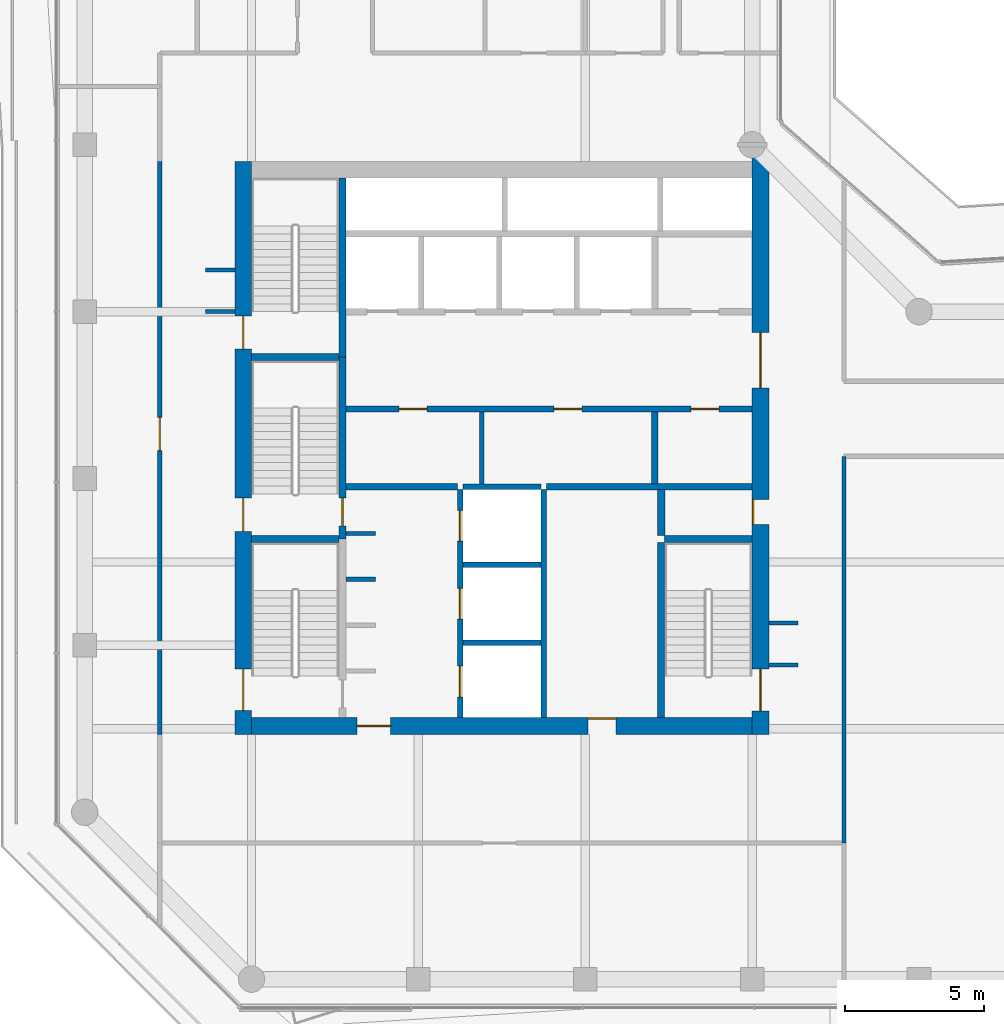
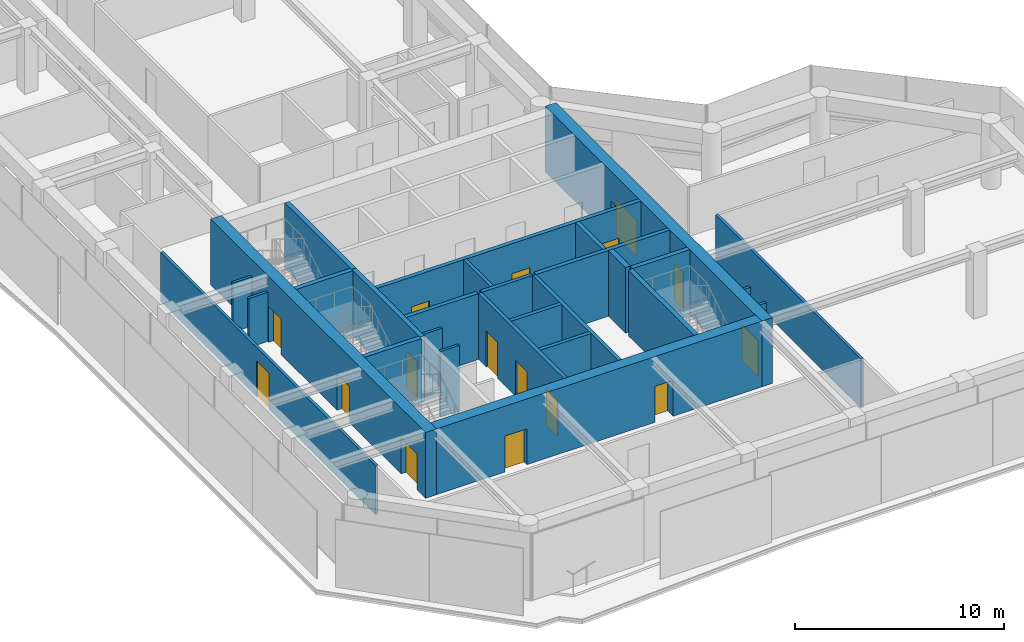
# One storey, part 17 of 21: 28 walls, 16 doors, 16 openings.
"""IFC4 building model written with IfcOpenShell, lengths in metres."""

from ifc_helpers import new_model, si_unit, direction, frame, frame_2d, origin, place, context, subcontext, project, spatial, rectangle, extrude, material, layer, layer_set, type_object, element, fill, save


model = new_model("IFC4")

# Units and contexts
model_context = context("Model", 3, precision=1e-05, world=origin(), true_north=direction((0.0, 1.0)))
body_context = subcontext(model_context, "Body", "Model", "MODEL_VIEW")
ifc_project = project(units=[si_unit("LENGTHUNIT", "METRE"), si_unit("AREAUNIT", "SQUARE_METRE"), si_unit("VOLUMEUNIT", "CUBIC_METRE"), si_unit("PLANEANGLEUNIT", "RADIAN"), si_unit("MASSUNIT", "GRAM", prefix="KILO")], contexts=[model_context])

# Site, building, storey
site_placement = place(None, origin())
site = spatial("IfcSite", under=ifc_project, at=site_placement, CompositionType="ELEMENT")
building_placement = place(site_placement, origin())
building = spatial("IfcBuilding", under=site, at=building_placement, Name="Welwitschia Terrace Campus", CompositionType="ELEMENT")
storey_placement = place(building_placement, frame((0.0, 0.0, 184.39990234375)))
storey = spatial("IfcBuildingStorey", under=building, at=storey_placement, Name="L41", CompositionType="ELEMENT", Elevation=184.39990234375)

# Walls
ifc_material_1 = material(Name="Concrete C32/40", Category="concrete")
ifc_layer_1 = layer(ifc_material_1, 0.175048828125)
ifc_layer_set_1 = layer_set([ifc_layer_1], Name="Concrete C32/40")
wall_type_1 = type_object("IfcWallType", Name="Core partition 175 Concrete C32/40", PredefinedType="PARTITIONING", material=ifc_layer_set_1)
wall_1_placement = place(storey_placement, frame((14.27490234375, 13.800048828125, 0.0), z_axis=(0.0, 0.0, 1.0), x_axis=(0.0, 1.0, 0.0)))
element("IfcWall", 1, at=wall_1_placement, inside=storey, type_object=wall_type_1, Name="Core partition", PredefinedType="PARTITIONING", context=body_context, shape_type="SweptSolid", body=[
    extrude(rectangle(XDim=2.599853515625, YDim=0.175048828125, at=frame_2d((1.2998046875, 0.0))), origin(), (0.0, 0.0, 1.0), 3.85009765625),
])
ifc_material_2 = material(Name="Concrete C32/40", Category="concrete")
ifc_layer_2 = layer(ifc_material_2, 0.22509765625)
ifc_layer_set_2 = layer_set([ifc_layer_2], Name="Concrete C32/40")
wall_type_2 = type_object("IfcWallType", Name="Core partition 225 Concrete C32/40", PredefinedType="PARTITIONING", material=ifc_layer_set_2)
wall_2_placement = place(storey_placement, frame((9.39990234375, 13.699951171875, 0.0), z_axis=(0.0, 0.0, 1.0), x_axis=(1.0, 0.0, 0.0)))
element("IfcWall", 2, at=wall_2_placement, inside=storey, type_object=wall_type_2, Name="Core partition", PredefinedType="PARTITIONING", context=body_context, shape_type="SweptSolid", body=[
    extrude(rectangle(XDim=4.0, YDim=0.22509765625, at=frame_2d((2.0, 0.0))), origin(), (0.0, 0.0, 1.0), 3.85009765625),
])
wall_3_placement = place(storey_placement, frame((16.60009765625, 13.699951171875, 0.0), z_axis=(0.0, 0.0, 1.0), x_axis=(1.0, 0.0, 0.0)))
element("IfcWall", 3, at=wall_3_placement, inside=storey, type_object=wall_type_2, Name="Core partition", PredefinedType="PARTITIONING", context=body_context, shape_type="SweptSolid", body=[
    extrude(rectangle(XDim=7.39990234375, YDim=0.22509765625, at=frame_2d((3.699951171875, 0.0))), origin(), (0.0, 0.0, 1.0), 3.85009765625),
])

# Wall, openings, doors
wall_4_placement = place(storey_placement, frame((9.39990234375, 16.5, 0.0), z_axis=(0.0, 0.0, 1.0), x_axis=(1.0, 0.0, 0.0)))
wall_4 = element("IfcWall", 4, at=wall_4_placement, inside=storey, type_object=wall_type_2, Name="Core partition", PredefinedType="PARTITIONING", context=body_context, shape_type="SweptSolid", body=[
    extrude(rectangle(XDim=14.60009765625, YDim=0.22509765625, at=frame_2d((7.300048828125, 0.0))), origin(), (0.0, 0.0, 1.0), 3.85009765625),
])
opening_1_placement = place(wall_4_placement, frame((1.89990234375, 0.0, 0.0)))
opening_1 = element("IfcOpeningElement", 5, at=opening_1_placement, cuts=wall_4, Name="Opening DR10", PredefinedType="OPENING", context=body_context, shape_type="SweptSolid", body=[
    extrude(rectangle(XDim=1.0, YDim=2.10009765625, at=frame_2d((0.5, 1.050048828125))), frame((0.0, 0.12255859375, 0.0), z_axis=(0.0, -1.0, 0.0), x_axis=(1.0, 0.0, 0.0)), (0.0, 0.0, 1.0), 0.2451171875),
])
opening_2_placement = place(wall_4_placement, frame((7.47509765625, 0.0, 0.0)))
opening_2 = element("IfcOpeningElement", 6, at=opening_2_placement, cuts=wall_4, Name="Opening DR10", PredefinedType="OPENING", context=body_context, shape_type="SweptSolid", body=[
    extrude(rectangle(XDim=1.0, YDim=2.10009765625, at=frame_2d((0.5, 1.050048828125))), frame((0.0, 0.12255859375, 0.0), z_axis=(0.0, -1.0, 0.0), x_axis=(1.0, 0.0, 0.0)), (0.0, 0.0, 1.0), 0.2451171875),
])
opening_3_placement = place(wall_4_placement, frame((12.39990234375, 0.0, 0.0)))
opening_3 = element("IfcOpeningElement", 7, at=opening_3_placement, cuts=wall_4, Name="Opening DR10", PredefinedType="OPENING", context=body_context, shape_type="SweptSolid", body=[
    extrude(rectangle(XDim=1.0, YDim=2.10009765625, at=frame_2d((0.5, 1.050048828125))), frame((0.0, 0.12255859375, 0.0), z_axis=(0.0, -1.0, 0.0), x_axis=(1.0, 0.0, 0.0)), (0.0, 0.0, 1.0), 0.2451171875),
])
ifc_material_3 = material(Name="Steel S275", Category="steel")
door_type_1 = type_object("IfcDoorType", Name="Core door DR10", OperationType="SINGLE_SWING_LEFT", PredefinedType="DOOR", material=ifc_material_3)
door_1_placement = place(opening_1_placement, origin())
door_1 = element("IfcDoor", 8, at=door_1_placement, inside=storey, type_object=door_type_1, Name="Door BAYL1-D", OperationType="SINGLE_SWING_LEFT", OverallHeight=2.10009765625, OverallWidth=1.0, PredefinedType="DOOR", context=body_context, shape_type="SweptSolid", body=[
    extrude(rectangle(XDim=1.0, YDim=2.10009765625, at=frame_2d((0.5, 1.050048828125))), frame((0.0, 0.02490234375, 0.0), z_axis=(0.0, -1.0, 0.0), x_axis=(1.0, 0.0, 0.0)), (0.0, 0.0, 1.0), 0.050048828125),
])
fill(opening_1, door_1)
door_2_placement = place(opening_2_placement, origin())
door_2 = element("IfcDoor", 9, at=door_2_placement, inside=storey, type_object=door_type_1, Name="Door BAYL2-D", OperationType="SINGLE_SWING_RIGHT", OverallHeight=2.10009765625, OverallWidth=1.0, PredefinedType="DOOR", context=body_context, shape_type="SweptSolid", body=[
    extrude(rectangle(XDim=1.0, YDim=2.10009765625, at=frame_2d((0.5, 1.050048828125))), frame((0.0, 0.02490234375, 0.0), z_axis=(0.0, -1.0, 0.0), x_axis=(1.0, 0.0, 0.0)), (0.0, 0.0, 1.0), 0.050048828125),
])
fill(opening_2, door_2)
door_3_placement = place(opening_3_placement, origin())
door_3 = element("IfcDoor", 10, at=door_3_placement, inside=storey, type_object=door_type_1, Name="Door EL-D", OperationType="SINGLE_SWING_RIGHT", OverallHeight=2.10009765625, OverallWidth=1.0, PredefinedType="DOOR", context=body_context, shape_type="SweptSolid", body=[
    extrude(rectangle(XDim=1.0, YDim=2.10009765625, at=frame_2d((0.5, 1.050048828125))), frame((0.0, 0.02490234375, 0.0), z_axis=(0.0, -1.0, 0.0), x_axis=(1.0, 0.0, 0.0)), (0.0, 0.0, 1.0), 0.050048828125),
])
fill(opening_3, door_3)

# Walls
wall_5_placement = place(storey_placement, frame((20.5, 13.800048828125, 0.0), z_axis=(0.0, 0.0, 1.0), x_axis=(0.0, 1.0, 0.0)))
element("IfcWall", 11, at=wall_5_placement, inside=storey, type_object=wall_type_2, Name="Core partition", PredefinedType="PARTITIONING", context=body_context, shape_type="SweptSolid", body=[
    extrude(rectangle(XDim=2.599853515625, YDim=0.22509765625, at=frame_2d((1.2998046875, 0.0))), origin(), (0.0, 0.0, 1.0), 3.85009765625),
])
ifc_material_4 = material(Name="Concrete C32/40", Category="concrete")
ifc_layer_3 = layer(ifc_material_4, 0.27490234375)
ifc_layer_set_3 = layer_set([ifc_layer_3], Name="Concrete C32/40")
wall_type_3 = type_object("IfcWallType", Name="Core partition 275 Concrete C32/40", PredefinedType="PARTITIONING", material=ifc_layer_set_3)
wall_6_placement = place(storey_placement, frame((20.72509765625, 11.949951171875, 0.0), z_axis=(0.0, 0.0, 1.0), x_axis=(0.0, 1.0, 0.0)))
element("IfcWall", 12, at=wall_6_placement, inside=storey, type_object=wall_type_3, Name="Core partition", PredefinedType="PARTITIONING", context=body_context, shape_type="SweptSolid", body=[
    extrude(rectangle(XDim=1.650146484375, YDim=0.27490234375, at=frame_2d((0.8251953125, 0.0))), origin(), (0.0, 0.0, 1.0), 3.85009765625),
])
ifc_material_5 = material(Name="Concrete C50/60", Category="concrete")
ifc_layer_4 = layer(ifc_material_5, 0.14990234375)
ifc_layer_set_4 = layer_set([ifc_layer_4], Name="Concrete C50/60")
wall_type_4 = type_object("IfcWallType", Name="Core wall 150 Concrete C50/60", PredefinedType="SHEAR", material=ifc_layer_set_4)
for number, where, z_axis, x_axis, name in (
    (13, (9.39990234375, 10.375, 0.0), (0.0, 0.0, 1.0), (1.0, 0.0, 0.0), "Core wall"),
    (14, (9.39990234375, 12.02490234375, 0.0), (0.0, 0.0, 1.0), (1.0, 0.0, 0.0), "Core wall"),
):
    element("IfcWall", number, at=place(storey_placement, frame(where, z_axis=z_axis, x_axis=x_axis)), inside=storey, type_object=wall_type_4, Name=name, PredefinedType="SHEAR", context=body_context, shape_type="SweptSolid", body=[
        extrude(rectangle(XDim=1.050048828125, YDim=0.14990234375, at=frame_2d((0.52490234375, 0.0))), origin(), (0.0, 0.0, 1.0), 3.85009765625),
    ])
ifc_material_6 = material(Name="Concrete C50/60", Category="concrete")
ifc_layer_5 = layer(ifc_material_6, 0.199951171875)
ifc_layer_set_5 = layer_set([ifc_layer_5], Name="Concrete C50/60")
wall_type_5 = type_object("IfcWallType", Name="Core wall 200 Concrete C50/60", PredefinedType="SHEAR", material=ifc_layer_set_5)
for number, where, z_axis, x_axis, name in (
    (15, (13.60009765625, 8.10009765625, 0.0), (0.0, 0.0, 1.0), (1.0, 0.0, 0.0), "Core wall"),
    (16, (13.60009765625, 10.89990234375, 0.0), (0.0, 0.0, 1.0), (1.0, 0.0, 0.0), "Core wall"),
    (17, (13.60009765625, 13.699951171875, 0.0), (0.0, 0.0, 1.0), (1.0, 0.0, 0.0), "Core wall"),
):
    element("IfcWall", number, at=place(storey_placement, frame(where, z_axis=z_axis, x_axis=x_axis)), inside=storey, type_object=wall_type_5, Name=name, PredefinedType="SHEAR", context=body_context, shape_type="SweptSolid", body=[
        extrude(rectangle(XDim=2.7998046875, YDim=0.199951171875, at=frame_2d((1.39990234375, 0.0))), origin(), (0.0, 0.0, 1.0), 3.85009765625),
    ])

# Wall, openings, doors
wall_7_placement = place(storey_placement, frame((13.5, 5.39990234375, 0.0), z_axis=(0.0, 0.0, 1.0), x_axis=(0.0, 1.0, 0.0)))
wall_7 = element("IfcWall", 18, at=wall_7_placement, inside=storey, type_object=wall_type_5, Name="Core wall", PredefinedType="SHEAR", context=body_context, shape_type="SweptSolid", body=[
    extrude(rectangle(XDim=8.2001953125, YDim=0.199951171875, at=frame_2d((4.10009765625, 0.0))), origin(), (0.0, 0.0, 1.0), 3.85009765625),
])
opening_4_placement = place(wall_7_placement, frame((0.75, 0.0, 0.0)))
opening_4 = element("IfcOpeningElement", 19, at=opening_4_placement, cuts=wall_7, Name="Opening LD", PredefinedType="OPENING", context=body_context, shape_type="SweptSolid", body=[
    extrude(rectangle(XDim=1.10009765625, YDim=2.10009765625, at=frame_2d((0.550048828125, 1.050048828125))), frame((0.0, 0.10986328125, 0.0), z_axis=(0.0, -1.0, 0.0), x_axis=(1.0, 0.0, 0.0)), (0.0, 0.0, 1.0), 0.219970703125),
])
opening_5_placement = place(wall_7_placement, frame((3.550048828125, 0.0, 0.0)))
opening_5 = element("IfcOpeningElement", 20, at=opening_5_placement, cuts=wall_7, Name="Opening LD", PredefinedType="OPENING", context=body_context, shape_type="SweptSolid", body=[
    extrude(rectangle(XDim=1.10009765625, YDim=2.10009765625, at=frame_2d((0.550048828125, 1.050048828125))), frame((0.0, 0.10986328125, 0.0), z_axis=(0.0, -1.0, 0.0), x_axis=(1.0, 0.0, 0.0)), (0.0, 0.0, 1.0), 0.219970703125),
])
opening_6_placement = place(wall_7_placement, frame((6.35009765625, 0.0, 0.0)))
opening_6 = element("IfcOpeningElement", 21, at=opening_6_placement, cuts=wall_7, Name="Opening LD", PredefinedType="OPENING", context=body_context, shape_type="SweptSolid", body=[
    extrude(rectangle(XDim=1.10009765625, YDim=2.10009765625, at=frame_2d((0.550048828125, 1.050048828125))), frame((0.0, 0.10986328125, 0.0), z_axis=(0.0, -1.0, 0.0), x_axis=(1.0, 0.0, 0.0)), (0.0, 0.0, 1.0), 0.219970703125),
])
ifc_material_7 = material(Name="Stainless steel 304", Category="steel")
door_type_2 = type_object("IfcDoorType", Name="Lift landing door", OperationType="DOUBLE_DOOR_SLIDING", PredefinedType="DOOR", material=ifc_material_7)
door_4_placement = place(opening_4_placement, origin())
door_4 = element("IfcDoor", 22, at=door_4_placement, inside=storey, type_object=door_type_2, Name="Landing door FF1", OperationType="DOUBLE_DOOR_SLIDING", OverallHeight=2.10009765625, OverallWidth=1.10009765625, PredefinedType="DOOR", context=body_context, shape_type="SweptSolid", body=[
    extrude(rectangle(XDim=1.10009765625, YDim=2.10009765625, at=frame_2d((0.550048828125, 1.050048828125))), frame((0.0, 0.02490234375, 0.0), z_axis=(0.0, -1.0, 0.0), x_axis=(1.0, 0.0, 0.0)), (0.0, 0.0, 1.0), 0.050048828125),
])
fill(opening_4, door_4)
door_5_placement = place(opening_5_placement, origin())
door_5 = element("IfcDoor", 23, at=door_5_placement, inside=storey, type_object=door_type_2, Name="Landing door FF2", OperationType="DOUBLE_DOOR_SLIDING", OverallHeight=2.10009765625, OverallWidth=1.10009765625, PredefinedType="DOOR", context=body_context, shape_type="SweptSolid", body=[
    extrude(rectangle(XDim=1.10009765625, YDim=2.10009765625, at=frame_2d((0.550048828125, 1.050048828125))), frame((0.0, 0.02490234375, 0.0), z_axis=(0.0, -1.0, 0.0), x_axis=(1.0, 0.0, 0.0)), (0.0, 0.0, 1.0), 0.050048828125),
])
fill(opening_5, door_5)
door_6_placement = place(opening_6_placement, origin())
door_6 = element("IfcDoor", 24, at=door_6_placement, inside=storey, type_object=door_type_2, Name="Landing door SV1", OperationType="DOUBLE_DOOR_SLIDING", OverallHeight=2.10009765625, OverallWidth=1.10009765625, PredefinedType="DOOR", context=body_context, shape_type="SweptSolid", body=[
    extrude(rectangle(XDim=1.10009765625, YDim=2.10009765625, at=frame_2d((0.550048828125, 1.050048828125))), frame((0.0, 0.02490234375, 0.0), z_axis=(0.0, -1.0, 0.0), x_axis=(1.0, 0.0, 0.0)), (0.0, 0.0, 1.0), 0.050048828125),
])
fill(opening_6, door_6)

# Walls
wall_8_placement = place(storey_placement, frame((16.5, 5.39990234375, 0.0), z_axis=(0.0, 0.0, 1.0), x_axis=(0.0, 1.0, 0.0)))
element("IfcWall", 25, at=wall_8_placement, inside=storey, type_object=wall_type_5, Name="Core wall", PredefinedType="SHEAR", context=body_context, shape_type="SweptSolid", body=[
    extrude(rectangle(XDim=8.2001953125, YDim=0.199951171875, at=frame_2d((4.10009765625, 0.0))), origin(), (0.0, 0.0, 1.0), 3.85009765625),
])
ifc_material_8 = material(Name="Concrete C50/60", Category="concrete")
ifc_layer_6 = layer(ifc_material_8, 0.25)
ifc_layer_set_6 = layer_set([ifc_layer_6], Name="Concrete C50/60")
wall_type_6 = type_object("IfcWallType", Name="Core wall 250 Concrete C50/60", PredefinedType="SHEAR", material=ifc_layer_set_6)
for number, where, z_axis, x_axis, name in (
    (26, (6.0, 11.824951171875, 0.0), (0.0, 0.0, 1.0), (1.0, 0.0, 0.0), "Core wall"),
    (27, (20.85009765625, 11.824951171875, 0.0), (0.0, 0.0, 1.0), (1.0, 0.0, 0.0), "Core wall"),
    (28, (6.0, 18.375, 0.0), (0.0, 0.0, 1.0), (1.0, 0.0, 0.0), "Core wall"),
):
    element("IfcWall", number, at=place(storey_placement, frame(where, z_axis=z_axis, x_axis=x_axis)), inside=storey, type_object=wall_type_6, Name=name, PredefinedType="SHEAR", context=body_context, shape_type="SweptSolid", body=[
        extrude(rectangle(XDim=3.14990234375, YDim=0.25, at=frame_2d((1.574951171875, 0.0))), origin(), (0.0, 0.0, 1.0), 3.85009765625),
    ])

# Wall, opening, door
wall_9_placement = place(storey_placement, frame((9.27490234375, 18.375, 0.0), z_axis=(0.0, 0.0, 1.0), x_axis=(0.0, -1.0, 0.0)))
wall_9 = element("IfcWall", 29, at=wall_9_placement, inside=storey, type_object=wall_type_6, Name="Core wall", PredefinedType="SHEAR", context=body_context, shape_type="SweptSolid", body=[
    extrude(rectangle(XDim=6.550048828125, YDim=0.25, at=frame_2d((3.27490234375, 0.0))), origin(), (0.0, 0.0, 1.0), 3.85009765625),
])
opening_7_placement = place(wall_9_placement, frame((5.074951171875, 0.0, 0.0)))
opening_7 = element("IfcOpeningElement", 30, at=opening_7_placement, cuts=wall_9, Name="Opening DS10", PredefinedType="OPENING", context=body_context, shape_type="SweptSolid", body=[
    extrude(rectangle(XDim=1.0, YDim=2.10009765625, at=frame_2d((0.5, 1.050048828125))), frame((0.0, 0.135009765625, 0.0), z_axis=(0.0, -1.0, 0.0), x_axis=(1.0, 0.0, 0.0)), (0.0, 0.0, 1.0), 0.27001953125),
])
ifc_material_9 = material(Name="Steel S275", Category="steel")
door_type_3 = type_object("IfcDoorType", Name="Core door DS10", OperationType="SINGLE_SWING_LEFT", PredefinedType="DOOR", material=ifc_material_9)
door_7_placement = place(opening_7_placement, origin())
door_7 = element("IfcDoor", 31, at=door_7_placement, inside=storey, type_object=door_type_3, Name="Door S3-FL", OperationType="SINGLE_SWING_RIGHT", OverallHeight=2.10009765625, OverallWidth=1.0, PredefinedType="DOOR", context=body_context, shape_type="SweptSolid", body=[
    extrude(rectangle(XDim=1.0, YDim=2.10009765625, at=frame_2d((0.5, 1.050048828125))), frame((0.0, 0.02490234375, 0.0), z_axis=(0.0, -1.0, 0.0), x_axis=(1.0, 0.0, 0.0)), (0.0, 0.0, 1.0), 0.050048828125),
])
fill(opening_7, door_7)

# Walls
wall_10_placement = place(storey_placement, frame((9.27490234375, 18.375, 0.0), z_axis=(0.0, 0.0, 1.0), x_axis=(0.0, 1.0, 0.0)))
element("IfcWall", 32, at=wall_10_placement, inside=storey, type_object=wall_type_6, Name="Core wall", PredefinedType="SHEAR", context=body_context, shape_type="SweptSolid", body=[
    extrude(rectangle(XDim=6.425048828125, YDim=0.25, at=frame_2d((3.21240234375, 0.0))), origin(), (0.0, 0.0, 1.0), 3.85009765625),
])
wall_11_placement = place(storey_placement, frame((20.72509765625, 5.39990234375, 0.0), z_axis=(0.0, 0.0, 1.0), x_axis=(0.0, 1.0, 0.0)))
element("IfcWall", 33, at=wall_11_placement, inside=storey, type_object=wall_type_6, Name="Core wall", PredefinedType="SHEAR", context=body_context, shape_type="SweptSolid", body=[
    extrude(rectangle(XDim=6.300048828125, YDim=0.25, at=frame_2d((3.14990234375, 0.0))), origin(), (0.0, 0.0, 1.0), 3.85009765625),
])

# Wall, openings, doors
ifc_material_10 = material(Name="Concrete C60/75", Category="concrete")
ifc_layer_7 = layer(ifc_material_10, 0.60009765625)
ifc_layer_set_7 = layer_set([ifc_layer_7], Name="Concrete C60/75")
wall_type_7 = type_object("IfcWallType", Name="Core wall 600 Concrete C60/75", PredefinedType="SHEAR", material=ifc_layer_set_7)
wall_12_placement = place(storey_placement, frame((5.699951171875, 4.800048828125, 0.0), z_axis=(0.0, 0.0, 1.0), x_axis=(0.0, 1.0, 0.0)))
wall_12 = element("IfcWall", 34, at=wall_12_placement, inside=storey, type_object=wall_type_7, Name="Core outer wall", PredefinedType="SHEAR", context=body_context, shape_type="SweptSolid", body=[
    extrude(rectangle(XDim=20.599853515625, YDim=0.60009765625, at=frame_2d((10.2998046875, 0.0))), origin(), (0.0, 0.0, 1.0), 3.85009765625),
])
opening_8_placement = place(wall_12_placement, frame((0.85009765625, 0.0, 0.0)))
opening_8 = element("IfcOpeningElement", 35, at=opening_8_placement, cuts=wall_12, Name="Opening DS15", PredefinedType="OPENING", context=body_context, shape_type="SweptSolid", body=[
    extrude(rectangle(XDim=1.5, YDim=2.10009765625, at=frame_2d((0.75, 1.050048828125))), frame((0.0, 0.31005859375, 0.0), z_axis=(0.0, -1.0, 0.0), x_axis=(1.0, 0.0, 0.0)), (0.0, 0.0, 1.0), 0.6201171875),
])
opening_9_placement = place(wall_12_placement, frame((7.300048828125, 0.0, 0.0)))
opening_9 = element("IfcOpeningElement", 36, at=opening_9_placement, cuts=wall_12, Name="Opening DS12", PredefinedType="OPENING", context=body_context, shape_type="SweptSolid", body=[
    extrude(rectangle(XDim=1.199951171875, YDim=2.10009765625, at=frame_2d((0.60009765625, 1.050048828125))), frame((0.0, 0.31005859375, 0.0), z_axis=(0.0, -1.0, 0.0), x_axis=(1.0, 0.0, 0.0)), (0.0, 0.0, 1.0), 0.6201171875),
])
opening_10_placement = place(wall_12_placement, frame((13.85009765625, 0.0, 0.0)))
opening_10 = element("IfcOpeningElement", 37, at=opening_10_placement, cuts=wall_12, Name="Opening DS12", PredefinedType="OPENING", context=body_context, shape_type="SweptSolid", body=[
    extrude(rectangle(XDim=1.199951171875, YDim=2.10009765625, at=frame_2d((0.60009765625, 1.050048828125))), frame((0.0, 0.31005859375, 0.0), z_axis=(0.0, -1.0, 0.0), x_axis=(1.0, 0.0, 0.0)), (0.0, 0.0, 1.0), 0.6201171875),
])
ifc_material_11 = material(Name="Steel S275", Category="steel")
door_type_4 = type_object("IfcDoorType", Name="Core door DS12", OperationType="SINGLE_SWING_LEFT", PredefinedType="DOOR", material=ifc_material_11)
door_8_placement = place(opening_9_placement, origin())
door_8 = element("IfcDoor", 38, at=door_8_placement, inside=storey, type_object=door_type_4, Name="Door S3-out", OperationType="SINGLE_SWING_LEFT", OverallHeight=2.10009765625, OverallWidth=1.199951171875, PredefinedType="DOOR", context=body_context, shape_type="SweptSolid", body=[
    extrude(rectangle(XDim=1.199951171875, YDim=2.10009765625, at=frame_2d((0.60009765625, 1.050048828125))), frame((0.0, 0.02490234375, 0.0), z_axis=(0.0, -1.0, 0.0), x_axis=(1.0, 0.0, 0.0)), (0.0, 0.0, 1.0), 0.050048828125),
])
fill(opening_9, door_8)
door_9_placement = place(opening_10_placement, origin())
door_9 = element("IfcDoor", 39, at=door_9_placement, inside=storey, type_object=door_type_4, Name="Door S4-out", OperationType="SINGLE_SWING_RIGHT", OverallHeight=2.10009765625, OverallWidth=1.199951171875, PredefinedType="DOOR", context=body_context, shape_type="SweptSolid", body=[
    extrude(rectangle(XDim=1.199951171875, YDim=2.10009765625, at=frame_2d((0.60009765625, 1.050048828125))), frame((0.0, 0.02490234375, 0.0), z_axis=(0.0, -1.0, 0.0), x_axis=(1.0, 0.0, 0.0)), (0.0, 0.0, 1.0), 0.050048828125),
])
fill(opening_10, door_9)
ifc_material_12 = material(Name="Steel S275", Category="steel")
door_type_5 = type_object("IfcDoorType", Name="Core door DS15", OperationType="DOUBLE_DOOR_SINGLE_SWING", PredefinedType="DOOR", material=ifc_material_12)
door_10_placement = place(opening_8_placement, origin())
door_10 = element("IfcDoor", 40, at=door_10_placement, inside=storey, type_object=door_type_5, Name="Door S1-out", OperationType="DOUBLE_DOOR_SINGLE_SWING", OverallHeight=2.10009765625, OverallWidth=1.5, PredefinedType="DOOR", context=body_context, shape_type="SweptSolid", body=[
    extrude(rectangle(XDim=1.5, YDim=2.10009765625, at=frame_2d((0.75, 1.050048828125))), frame((0.0, 0.02490234375, 0.0), z_axis=(0.0, -1.0, 0.0), x_axis=(1.0, 0.0, 0.0)), (0.0, 0.0, 1.0), 0.050048828125),
])
fill(opening_8, door_10)

wall_13_placement = place(storey_placement, frame((24.300048828125, 25.554931640625, 0.0), z_axis=(0.0, 0.0, 1.0), x_axis=(0.0, -1.0, 0.0)))
wall_13 = element("IfcWall", 41, at=wall_13_placement, inside=storey, type_object=wall_type_7, Name="Core outer wall", PredefinedType="SHEAR", context=body_context, shape_type="SweptSolid", body=[
    extrude(rectangle(XDim=20.7548828125, YDim=0.60009765625, at=frame_2d((10.37744140625, 0.0))), origin(), (0.0, 0.0, 1.0), 3.85009765625),
])
opening_11_placement = place(wall_13_placement, frame((18.405029296875, 0.0, 0.0)))
opening_11 = element("IfcOpeningElement", 42, at=opening_11_placement, cuts=wall_13, Name="Opening DS15", PredefinedType="OPENING", context=body_context, shape_type="SweptSolid", body=[
    extrude(rectangle(XDim=1.5, YDim=2.10009765625, at=frame_2d((0.75, 1.050048828125))), frame((0.0, 0.31005859375, 0.0), z_axis=(0.0, -1.0, 0.0), x_axis=(1.0, 0.0, 0.0)), (0.0, 0.0, 1.0), 0.6201171875),
])
opening_12_placement = place(wall_13_placement, frame((12.304931640625, 0.0, 0.0)))
opening_12 = element("IfcOpeningElement", 43, at=opening_12_placement, cuts=wall_13, Name="Opening DR09", PredefinedType="OPENING", context=body_context, shape_type="SweptSolid", body=[
    extrude(rectangle(XDim=0.89990234375, YDim=2.10009765625, at=frame_2d((0.449951171875, 1.050048828125))), frame((0.0, 0.31005859375, 0.0), z_axis=(0.0, -1.0, 0.0), x_axis=(1.0, 0.0, 0.0)), (0.0, 0.0, 1.0), 0.6201171875),
])
opening_13_placement = place(wall_13_placement, frame((6.304931640625, 0.0, 0.0)))
opening_13 = element("IfcOpeningElement", 44, at=opening_13_placement, cuts=wall_13, Name="Opening DL20", PredefinedType="OPENING", context=body_context, shape_type="SweptSolid", body=[
    extrude(rectangle(XDim=2.0, YDim=2.10009765625, at=frame_2d((1.0, 1.050048828125))), frame((0.0, 0.31005859375, 0.0), z_axis=(0.0, -1.0, 0.0), x_axis=(1.0, 0.0, 0.0)), (0.0, 0.0, 1.0), 0.6201171875),
])
ifc_material_13 = material(Name="Steel S275", Category="steel")
door_type_6 = type_object("IfcDoorType", Name="Core door DL20", OperationType="DOUBLE_DOOR_SINGLE_SWING", PredefinedType="DOOR", material=ifc_material_13)
door_11_placement = place(opening_13_placement, origin())
door_11 = element("IfcDoor", 45, at=door_11_placement, inside=storey, type_object=door_type_6, Name="Door LOBBY-out", OperationType="DOUBLE_DOOR_SINGLE_SWING", OverallHeight=2.10009765625, OverallWidth=2.0, PredefinedType="DOOR", context=body_context, shape_type="SweptSolid", body=[
    extrude(rectangle(XDim=2.0, YDim=2.10009765625, at=frame_2d((1.0, 1.050048828125))), frame((0.0, 0.02490234375, 0.0), z_axis=(0.0, -1.0, 0.0), x_axis=(1.0, 0.0, 0.0)), (0.0, 0.0, 1.0), 0.050048828125),
])
fill(opening_13, door_11)
ifc_material_14 = material(Name="Steel S275", Category="steel")
door_type_7 = type_object("IfcDoorType", Name="Core door DR09", OperationType="SINGLE_SWING_LEFT", PredefinedType="DOOR", material=ifc_material_14)
door_12_placement = place(opening_12_placement, origin())
door_12 = element("IfcDoor", 46, at=door_12_placement, inside=storey, type_object=door_type_7, Name="Door F1B-out", OperationType="SINGLE_SWING_RIGHT", OverallHeight=2.10009765625, OverallWidth=0.89990234375, PredefinedType="DOOR", context=body_context, shape_type="SweptSolid", body=[
    extrude(rectangle(XDim=0.89990234375, YDim=2.10009765625, at=frame_2d((0.449951171875, 1.050048828125))), frame((0.0, -0.23974609375, 0.0), z_axis=(0.0, -1.0, 0.0), x_axis=(1.0, 0.0, 0.0)), (0.0, 0.0, 1.0), 0.050048828125),
])
fill(opening_12, door_12)
door_13_placement = place(opening_11_placement, origin())
door_13 = element("IfcDoor", 47, at=door_13_placement, inside=storey, type_object=door_type_5, Name="Door S2-out", OperationType="DOUBLE_DOOR_SINGLE_SWING", OverallHeight=2.10009765625, OverallWidth=1.5, PredefinedType="DOOR", context=body_context, shape_type="SweptSolid", body=[
    extrude(rectangle(XDim=1.5, YDim=2.10009765625, at=frame_2d((0.75, 1.050048828125))), frame((0.0, 0.02490234375, 0.0), z_axis=(0.0, -1.0, 0.0), x_axis=(1.0, 0.0, 0.0)), (0.0, 0.0, 1.0), 0.050048828125),
])
fill(opening_11, door_13)

wall_14_placement = place(storey_placement, frame((24.0, 5.10009765625, 0.0), z_axis=(0.0, 0.0, 1.0), x_axis=(-1.0, 0.0, 0.0)))
wall_14 = element("IfcWall", 48, at=wall_14_placement, inside=storey, type_object=wall_type_7, Name="Core outer wall", PredefinedType="SHEAR", context=body_context, shape_type="SweptSolid", body=[
    extrude(rectangle(XDim=18.0, YDim=0.60009765625, at=frame_2d((9.0, 0.0))), origin(), (0.0, 0.0, 1.0), 3.85009765625),
])
opening_14_placement = place(wall_14_placement, frame((13.0, 0.0, 0.0)))
opening_14 = element("IfcOpeningElement", 49, at=opening_14_placement, cuts=wall_14, Name="Opening DF12", PredefinedType="OPENING", context=body_context, shape_type="SweptSolid", body=[
    extrude(rectangle(XDim=1.199951171875, YDim=2.10009765625, at=frame_2d((0.60009765625, 1.050048828125))), frame((0.0, 0.31005859375, 0.0), z_axis=(0.0, -1.0, 0.0), x_axis=(1.0, 0.0, 0.0)), (0.0, 0.0, 1.0), 0.6201171875),
])
opening_15_placement = place(wall_14_placement, frame((4.89990234375, 0.0, 0.0)))
opening_15 = element("IfcOpeningElement", 50, at=opening_15_placement, cuts=wall_14, Name="Opening DR10", PredefinedType="OPENING", context=body_context, shape_type="SweptSolid", body=[
    extrude(rectangle(XDim=1.0, YDim=2.10009765625, at=frame_2d((0.5, 1.050048828125))), frame((0.0, 0.31005859375, 0.0), z_axis=(0.0, -1.0, 0.0), x_axis=(1.0, 0.0, 0.0)), (0.0, 0.0, 1.0), 0.6201171875),
])
ifc_material_15 = material(Name="Steel S275", Category="steel")
door_type_8 = type_object("IfcDoorType", Name="Core door DF12", OperationType="SINGLE_SWING_LEFT", PredefinedType="DOOR", material=ifc_material_15)
door_14_placement = place(opening_14_placement, origin())
door_14 = element("IfcDoor", 51, at=door_14_placement, inside=storey, type_object=door_type_8, Name="Door FL-out", OperationType="SINGLE_SWING_RIGHT", OverallHeight=2.10009765625, OverallWidth=1.199951171875, PredefinedType="DOOR", context=body_context, shape_type="SweptSolid", body=[
    extrude(rectangle(XDim=1.199951171875, YDim=2.10009765625, at=frame_2d((0.60009765625, 1.050048828125))), frame((0.0, 0.02490234375, 0.0), z_axis=(0.0, -1.0, 0.0), x_axis=(1.0, 0.0, 0.0)), (0.0, 0.0, 1.0), 0.050048828125),
])
fill(opening_14, door_14)
door_15_placement = place(opening_15_placement, origin())
door_15 = element("IfcDoor", 52, at=door_15_placement, inside=storey, type_object=door_type_1, Name="Door F1-out", OperationType="SINGLE_SWING_LEFT", OverallHeight=2.10009765625, OverallWidth=1.0, PredefinedType="DOOR", context=body_context, shape_type="SweptSolid", body=[
    extrude(rectangle(XDim=1.0, YDim=2.10009765625, at=frame_2d((0.5, 1.050048828125))), frame((0.0, -0.23974609375, 0.0), z_axis=(0.0, -1.0, 0.0), x_axis=(1.0, 0.0, 0.0)), (0.0, 0.0, 1.0), 0.050048828125),
])
fill(opening_15, door_15)

# Wall, opening, door
ifc_material_16 = material(Name="Gypsum board on steel studs", Category="steel")
ifc_layer_8 = layer(ifc_material_16, 0.14990234375)
ifc_layer_set_8 = layer_set([ifc_layer_8], Name="Gypsum board on steel studs")
wall_type_8 = type_object("IfcWallType", Name="Corridor partition 150 EI 30", PredefinedType="PARTITIONING", material=ifc_layer_set_8)
wall_15_placement = place(storey_placement, frame((2.699951171875, 4.800048828125, 0.0), z_axis=(0.0, 0.0, 1.0), x_axis=(0.0, 1.0, 0.0)))
wall_15 = element("IfcWall", 53, at=wall_15_placement, inside=storey, type_object=wall_type_8, Name="Partition", PredefinedType="PARTITIONING", context=body_context, shape_type="SweptSolid", body=[
    extrude(rectangle(XDim=20.599853515625, YDim=0.14990234375, at=frame_2d((10.2998046875, 0.0))), origin(), (0.0, 0.0, 1.0), 2.880126953125),
])
opening_16_placement = place(wall_15_placement, frame((10.199951171875, 0.0, 0.0)))
opening_16 = element("IfcOpeningElement", 54, at=opening_16_placement, cuts=wall_15, Name="Opening DI12", PredefinedType="OPENING", context=body_context, shape_type="SweptSolid", body=[
    extrude(rectangle(XDim=1.199951171875, YDim=2.10009765625, at=frame_2d((0.60009765625, 1.050048828125))), frame((0.0, 0.0849609375, 0.0), z_axis=(0.0, -1.0, 0.0), x_axis=(1.0, 0.0, 0.0)), (0.0, 0.0, 1.0), 0.169921875),
])
ifc_material_17 = material(Name="Timber veneered door", Category="wood")
door_type_9 = type_object("IfcDoorType", Name="Interior door DI12", OperationType="NOTDEFINED", PredefinedType="DOOR", material=ifc_material_17)
door_16_placement = place(opening_16_placement, origin())
door_16 = element("IfcDoor", 55, at=door_16_placement, inside=storey, type_object=door_type_9, Name="Door L41 809", OperationType="SINGLE_SWING_RIGHT", OverallHeight=2.10009765625, OverallWidth=1.199951171875, PredefinedType="DOOR", context=body_context, shape_type="SweptSolid", body=[
    extrude(rectangle(XDim=1.199951171875, YDim=2.10009765625, at=frame_2d((0.60009765625, 1.050048828125))), frame((0.0, 0.02490234375, 0.0), z_axis=(0.0, -1.0, 0.0), x_axis=(1.0, 0.0, 0.0)), (0.0, 0.0, 1.0), 0.050048828125),
])
fill(opening_16, door_16)

# Walls
for number, where, z_axis, x_axis, name in (
    (56, (4.35009765625, 20.0, 0.0), (0.0, 0.0, 1.0), (1.0, 0.0, 0.0), "Partition"),
    (57, (4.35009765625, 21.5, 0.0), (0.0, 0.0, 1.0), (1.0, 0.0, 0.0), "Partition"),
    (58, (24.60009765625, 7.300048828125, 0.0), (0.0, 0.0, 1.0), (1.0, 0.0, 0.0), "Partition"),
    (59, (24.60009765625, 8.800048828125, 0.0), (0.0, 0.0, 1.0), (1.0, 0.0, 0.0), "Partition"),
):
    element("IfcWall", number, at=place(storey_placement, frame(where, z_axis=z_axis, x_axis=x_axis)), inside=storey, type_object=wall_type_8, Name=name, PredefinedType="PARTITIONING", context=body_context, shape_type="SweptSolid", body=[
        extrude(rectangle(XDim=1.0498046875, YDim=0.14990234375, at=frame_2d((0.52490234375, 0.0))), origin(), (0.0, 0.0, 1.0), 2.880126953125),
    ])
wall_16_placement = place(storey_placement, frame((27.300048828125, 0.89990234375, 0.0), z_axis=(0.0, 0.0, 1.0), x_axis=(0.0, 1.0, 0.0)))
element("IfcWall", 60, at=wall_16_placement, inside=storey, type_object=wall_type_8, Name="Partition", PredefinedType="PARTITIONING", context=body_context, shape_type="SweptSolid", body=[
    extrude(rectangle(XDim=13.900146484375, YDim=0.14990234375, at=frame_2d((6.9501953125, 0.0))), origin(), (0.0, 0.0, 1.0), 2.880126953125),
])

save(model, "model.ifc")
